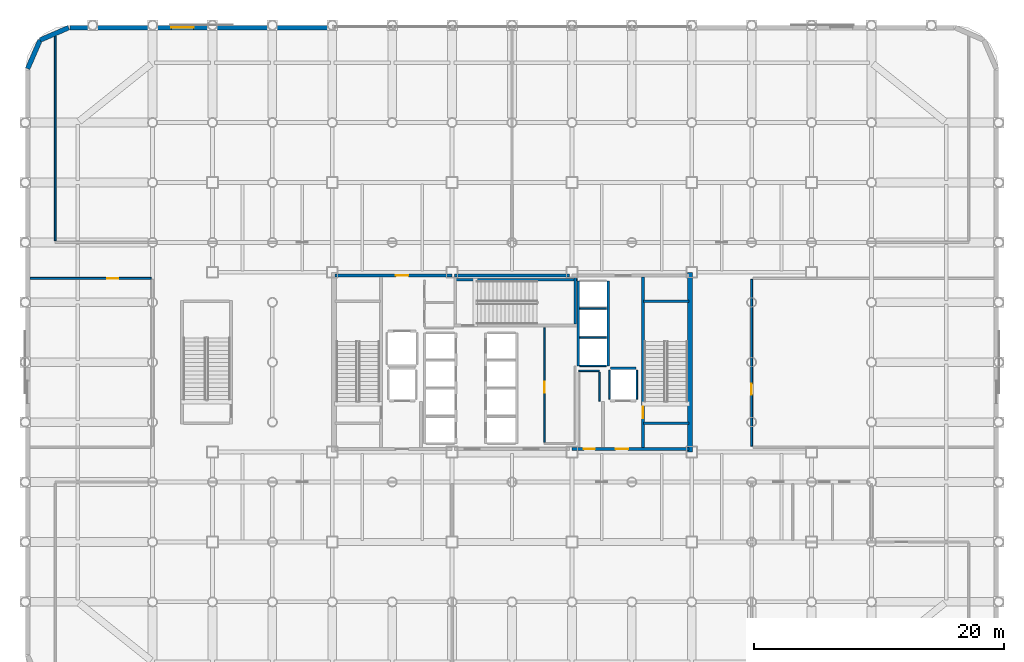
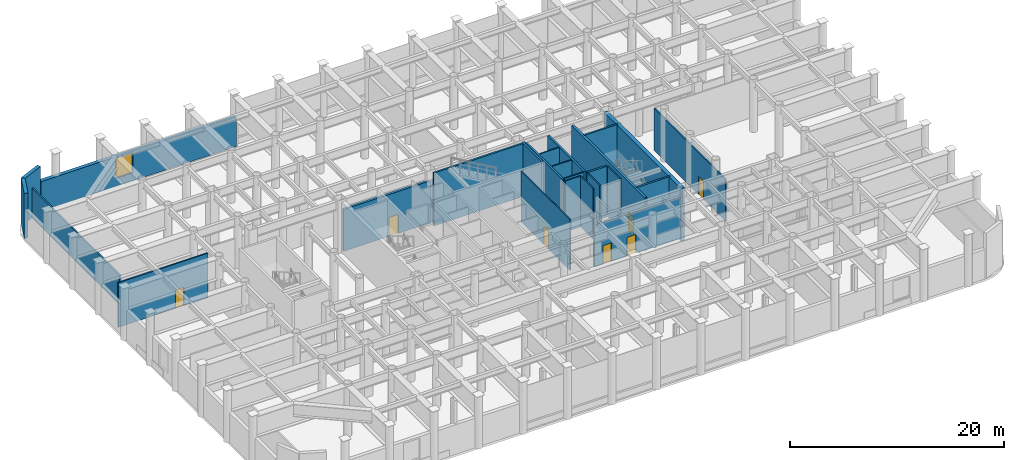
# One storey, part 18 of 26: 26 walls, 7 doors, 1 window, 8 openings.
"""IFC4 building model written with IfcOpenShell, lengths in metres."""

from ifc_helpers import new_model, si_unit, direction, frame, frame_2d, origin, place, context, subcontext, project, spatial, rectangle, extrude, material, layer, layer_set, type_object, element, fill, save


model = new_model("IFC4")

# Units and contexts
model_context = context("Model", 3, precision=1e-05, world=origin(), true_north=direction((0.0, 1.0)))
body_context = subcontext(model_context, "Body", "Model", "MODEL_VIEW")
ifc_project = project(units=[si_unit("LENGTHUNIT", "METRE"), si_unit("AREAUNIT", "SQUARE_METRE"), si_unit("VOLUMEUNIT", "CUBIC_METRE"), si_unit("PLANEANGLEUNIT", "RADIAN"), si_unit("MASSUNIT", "GRAM", prefix="KILO")], contexts=[model_context])

# Site, building, storey
site_placement = place(None, origin())
site = spatial("IfcSite", under=ifc_project, at=site_placement, CompositionType="ELEMENT")
building_placement = place(site_placement, origin())
building = spatial("IfcBuilding", under=site, at=building_placement, Name="Kallvorn Hotel Tower", CompositionType="ELEMENT")
storey_placement = place(building_placement, frame((0.0, 0.0, 6.0)))
storey = spatial("IfcBuildingStorey", under=building, at=storey_placement, Name="L01", CompositionType="ELEMENT", Elevation=6.0)

# Wall
ifc_material_1 = material(Name="Concrete C50/60", Category="concrete")
ifc_layer_1 = layer(ifc_material_1, 0.39990234375)
ifc_layer_set_1 = layer_set([ifc_layer_1], Name="WL_CORE_400")
wall_type_1 = type_object("IfcWallType", Name="WL_CORE_400", PredefinedType="SHEAR", material=ifc_layer_set_1)
wall_1_placement = place(storey_placement, frame((14.264892578125, -7.199951171875, -0.25), z_axis=(0.0, 0.0, 1.0), x_axis=(0.0, 1.0, 0.0)))
element("IfcWall", 1, at=wall_1_placement, inside=storey, type_object=wall_type_1, Name="L01 Core East Shear Wall", PredefinedType="SHEAR", context=body_context, shape_type="SweptSolid", body=[
    extrude(rectangle(XDim=14.39990234375, YDim=0.39990234375, at=frame_2d((7.199951171875, 0.0))), origin(), (0.0, 0.0, 1.0), 6.030029296875),
])

# Wall, opening, window
ifc_material_2 = material(Name="Precast basalt-clad insulated concrete wall C40/50", Category="masonry")
ifc_layer_2 = layer(ifc_material_2, 0.3798828125)
ifc_layer_set_2 = layer_set([ifc_layer_2], Name="WL_EXT_PODIUM_380")
wall_type_2 = type_object("IfcWallType", Name="WL_EXT_PODIUM_380", PredefinedType="SOLIDWALL", material=ifc_layer_set_2)
wall_2_placement = place(storey_placement, frame((-35.39990234375, 26.81005859375, 0.0), z_axis=(0.0, 0.0, 1.0), x_axis=(1.0, 0.0, 0.0)))
wall_2 = element("IfcWall", 2, at=wall_2_placement, inside=storey, type_object=wall_type_2, Name="L01 Podium Exterior Wall EW-L01-NW", PredefinedType="SOLIDWALL", context=body_context, shape_type="SweptSolid", body=[
    extrude(rectangle(XDim=21.0498046875, YDim=0.3798828125, at=frame_2d((10.52490234375, 0.0))), origin(), (0.0, 0.0, 1.0), 3.3798828125),
])
opening_1_placement = place(wall_2_placement, frame((8.10009765625, 0.0, 0.89990234375)))
opening_1 = element("IfcOpeningElement", 3, at=opening_1_placement, cuts=wall_2, Name="Opening W02", PredefinedType="OPENING", context=body_context, shape_type="SweptSolid", body=[
    extrude(rectangle(XDim=1.800048828125, YDim=2.300048828125, at=frame_2d((0.89990234375, 1.14990234375))), frame((0.0, 0.204833984375, 0.0), z_axis=(0.0, -1.0, 0.0), x_axis=(1.0, 0.0, 0.0)), (0.0, 0.0, 1.0), 0.409912109375),
])
ifc_material_3 = material(Name="Double-glazed low-e solar-control dark glass", Category="glass")
window_type = type_object("IfcWindowType", Name="WN_POD_1800x2300", PartitioningType="SINGLE_PANEL", PredefinedType="WINDOW", material=ifc_material_3)
window_placement = place(opening_1_placement, origin())
window = element("IfcWindow", 4, at=window_placement, inside=storey, type_object=window_type, Name="L01 Podium Window EW-L01-NW", OverallHeight=2.300048828125, OverallWidth=1.800048828125, PartitioningType="SINGLE_PANEL", PredefinedType="WINDOW", context=body_context, shape_type="SweptSolid", body=[
    extrude(rectangle(XDim=1.800048828125, YDim=2.300048828125, at=frame_2d((0.89990234375, 1.14990234375))), frame((0.0, 0.030029296875, 0.0), z_axis=(0.0, -1.0, 0.0), x_axis=(1.0, 0.0, 0.0)), (0.0, 0.0, 1.0), 0.06005859375),
])
fill(opening_1, window)

# Walls
for number, where, z_axis, x_axis, name in (
    (5, (-35.51904296875, 26.807861328125, 0.0), (0.0, 0.0, 1.0), (-0.917076267627, -0.39871182495, 0.0), "L01 Rounded Corner Exterior Wall NW1"),
    (6, (-37.811279296875, 25.811279296875, 0.0), (0.0, 0.0, 1.0), (-0.39871182495, -0.917076267627, 0.0), "L01 Rounded Corner Exterior Wall NW2"),
):
    element("IfcWall", number, at=place(storey_placement, frame(where, z_axis=z_axis, x_axis=x_axis)), inside=storey, type_object=wall_type_2, Name=name, PredefinedType="SOLIDWALL", context=body_context, shape_type="SweptSolid", body=[
        extrude(rectangle(XDim=2.49951171875, YDim=0.3798828125, at=frame_2d((1.249755859375, 0.0))), origin(), (0.0, 0.0, 1.0), 5.1298828125),
    ])
ifc_material_4 = material(Name="Concrete C40/50", Category="concrete")
ifc_layer_3 = layer(ifc_material_4, 0.199951171875)
ifc_layer_set_3 = layer_set([ifc_layer_3], Name="WL_HOIST_200")
wall_type_3 = type_object("IfcWallType", Name="WL_HOIST_200", PredefinedType="SOLIDWALL", material=ifc_layer_set_3)
for number, where, z_axis, x_axis, name in (
    (7, (10.550048828125, -4.89990234375, -0.25), (0.0, 0.0, 1.0), (1.0, 0.0, 0.0), "L01 Stair ST2 South Wall"),
    (8, (10.550048828125, 4.89990234375, -0.25), (0.0, 0.0, 1.0), (1.0, 0.0, 0.0), "L01 Stair ST2 North Wall"),
):
    element("IfcWall", number, at=place(storey_placement, frame(where, z_axis=z_axis, x_axis=x_axis)), inside=storey, type_object=wall_type_3, Name=name, PredefinedType="SOLIDWALL", context=body_context, shape_type="SweptSolid", body=[
        extrude(rectangle(XDim=3.64990234375, YDim=0.199951171875, at=frame_2d((1.824951171875, 0.0))), origin(), (0.0, 0.0, 1.0), 6.030029296875),
    ])
wall_3_placement = place(storey_placement, frame((-4.64990234375, 6.610107421875, -0.25), z_axis=(0.0, 0.0, 1.0), x_axis=(1.0, 0.0, 0.0)))
element("IfcWall", 9, at=wall_3_placement, inside=storey, type_object=wall_type_3, Name="L01 Stair ST3 Shaft North Wall", PredefinedType="SOLIDWALL", context=body_context, shape_type="SweptSolid", body=[
    extrude(rectangle(XDim=9.89990234375, YDim=0.199951171875, at=frame_2d((4.949951171875, 0.0))), origin(), (0.0, 0.0, 1.0), 6.030029296875),
])
wall_4_placement = place(storey_placement, frame((5.06005859375, 3.080078125, -0.25), z_axis=(0.0, 0.0, 1.0), x_axis=(0.0, 1.0, 0.0)))
element("IfcWall", 10, at=wall_4_placement, inside=storey, type_object=wall_type_3, Name="L01 Stair ST3 East Wall", PredefinedType="SOLIDWALL", context=body_context, shape_type="SweptSolid", body=[
    extrude(rectangle(XDim=3.739990234375, YDim=0.199951171875, at=frame_2d((1.8701171875, 0.0))), origin(), (0.0, 0.0, 1.0), 6.030029296875),
])
for number, where, z_axis, x_axis, name in (
    (11, (7.699951171875, -0.300048828125, 0.0), (0.0, 0.0, 1.0), (0.0, 1.0, 0.0), "L01 Lift Bank OBS Landing Wall"),
    (12, (5.300048828125, -0.300048828125, 0.0), (0.0, 0.0, 1.0), (0.0, 1.0, 0.0), "L01 Lift Bank OBS Rear Shaft Wall"),
):
    element("IfcWall", number, at=place(storey_placement, frame(where, z_axis=z_axis, x_axis=x_axis)), inside=storey, type_object=wall_type_3, Name=name, PredefinedType="SOLIDWALL", context=body_context, shape_type="SweptSolid", body=[
        extrude(rectangle(XDim=6.800048828125, YDim=0.199951171875, at=frame_2d((3.39990234375, 0.0))), origin(), (0.0, 0.0, 1.0), 5.780029296875),
    ])
wall_5_placement = place(storey_placement, frame((7.8798828125, -0.5, 0.0), z_axis=(0.0, 0.0, 1.0), x_axis=(1.0, 0.0, 0.0)))
element("IfcWall", 13, at=wall_5_placement, inside=storey, type_object=wall_type_3, Name="L01 FL-2 Rear Shaft Wall", PredefinedType="SOLIDWALL", context=body_context, shape_type="SweptSolid", body=[
    extrude(rectangle(XDim=2.0400390625, YDim=0.199951171875, at=frame_2d((1.02001953125, 0.0))), origin(), (0.0, 0.0, 1.0), 5.780029296875),
])
ifc_material_5 = material(Name="Fire-rated double-layer acoustic gypsum drywall EI 60")
ifc_layer_4 = layer(ifc_material_5, 0.1201171875)
ifc_layer_set_4 = layer_set([ifc_layer_4], Name="WL_INT_120")
wall_type_4 = type_object("IfcWallType", Name="WL_INT_120", PredefinedType="PARTITIONING", material=ifc_layer_set_4)
for number, where, z_axis, x_axis, name in (
    (14, (5.43994140625, -0.300048828125, 0.0), (0.0, 0.0, 1.0), (1.0, 0.0, 0.0), "L01 Lift Bank OBS South Closure Wall"),
    (15, (5.43994140625, 1.97509765625, 0.0), (0.0, 0.0, 1.0), (1.0, 0.0, 0.0), "L01 OB-01 Hoistway Divider"),
    (16, (5.43994140625, 4.324951171875, 0.0), (0.0, 0.0, 1.0), (1.0, 0.0, 0.0), "L01 OB-02 Hoistway Divider"),
):
    element("IfcWall", number, at=place(storey_placement, frame(where, z_axis=z_axis, x_axis=x_axis)), inside=storey, type_object=wall_type_4, Name=name, PredefinedType="PARTITIONING", context=body_context, shape_type="SweptSolid", body=[
        extrude(rectangle(XDim=2.1201171875, YDim=0.1201171875, at=frame_2d((1.06005859375, 0.0))), origin(), (0.0, 0.0, 1.0), 5.780029296875),
    ])
for number, where, z_axis, x_axis, name in (
    (17, (7.800048828125, -2.9599609375, 0.0), (0.0, 0.0, 1.0), (0.0, 1.0, 0.0), "L01 FL-2 West Shaft Wall"),
    (18, (10.0, -2.9599609375, 0.0), (0.0, 0.0, 1.0), (0.0, 1.0, 0.0), "L01 FL-2 East Shaft Wall"),
):
    element("IfcWall", number, at=place(storey_placement, frame(where, z_axis=z_axis, x_axis=x_axis)), inside=storey, type_object=wall_type_4, Name=name, PredefinedType="PARTITIONING", context=body_context, shape_type="SweptSolid", body=[
        extrude(rectangle(XDim=2.320068359375, YDim=0.1201171875, at=frame_2d((1.16015625, 0.0))), origin(), (0.0, 0.0, 1.0), 5.780029296875),
    ])
wall_6_placement = place(storey_placement, frame((5.35009765625, -0.699951171875, 0.0), z_axis=(0.0, 0.0, 1.0), x_axis=(1.0, 0.0, 0.0)))
element("IfcWall", 19, at=wall_6_placement, inside=storey, type_object=wall_type_4, Name="L01 Core Utility and Meter Room Partition", PredefinedType="PARTITIONING", context=body_context, shape_type="SweptSolid", body=[
    extrude(rectangle(XDim=1.64990234375, YDim=0.1201171875, at=frame_2d((0.824951171875, 0.0))), origin(), (0.0, 0.0, 1.0), 5.780029296875),
])

# Wall, opening, door
wall_7_placement = place(storey_placement, frame((2.60009765625, -6.4150390625, 0.0), z_axis=(0.0, 0.0, 1.0), x_axis=(0.0, 1.0, 0.0)))
wall_7 = element("IfcWall", 20, at=wall_7_placement, inside=storey, type_object=wall_type_4, Name="L01 East Core Consolidated Linen and Supply Store Partition", PredefinedType="PARTITIONING", context=body_context, shape_type="SweptSolid", body=[
    extrude(rectangle(XDim=9.1650390625, YDim=0.1201171875, at=frame_2d((4.58251953125, 0.0))), origin(), (0.0, 0.0, 1.0), 5.780029296875),
])
opening_2_placement = place(wall_7_placement, frame((3.965087890625, 0.0, 0.0)))
opening_2 = element("IfcOpeningElement", 21, at=opening_2_placement, cuts=wall_7, Name="Opening SVD1", PredefinedType="OPENING", context=body_context, shape_type="SweptSolid", body=[
    extrude(rectangle(XDim=0.89990234375, YDim=2.10009765625, at=frame_2d((0.449951171875, 1.050048828125))), frame((0.0, 0.074951171875, 0.0), z_axis=(0.0, -1.0, 0.0), x_axis=(1.0, 0.0, 0.0)), (0.0, 0.0, 1.0), 0.150146484375),
])
ifc_material_6 = material(Name="Galvanised painted steel fire-rated door assembly", Category="steel")
door_type_1 = type_object("IfcDoorType", Name="DR_SERV_900x2100", OperationType="NOTDEFINED", PredefinedType="DOOR", material=ifc_material_6)
door_1_placement = place(opening_2_placement, origin())
door_1 = element("IfcDoor", 22, at=door_1_placement, inside=storey, type_object=door_type_1, Name="L01 East Core Consolidated Linen and Supply Store Door", OperationType="SINGLE_SWING_LEFT", OverallHeight=2.10009765625, OverallWidth=0.89990234375, PredefinedType="DOOR", context=body_context, shape_type="SweptSolid", body=[
    extrude(rectangle(XDim=0.89990234375, YDim=2.10009765625, at=frame_2d((0.449951171875, 1.050048828125))), frame((0.0, 0.02490234375, 0.0), z_axis=(0.0, -1.0, 0.0), x_axis=(1.0, 0.0, 0.0)), (0.0, 0.0, 1.0), 0.050048828125),
])
fill(opening_2, door_1)

# Wall
wall_8_placement = place(storey_placement, frame((7.0, -3.110107421875, 0.0), z_axis=(0.0, 0.0, 1.0), x_axis=(0.0, 1.0, 0.0)))
element("IfcWall", 23, at=wall_8_placement, inside=storey, type_object=wall_type_4, Name="L01 Core Utility and Meter Room Partition", PredefinedType="PARTITIONING", context=body_context, shape_type="SweptSolid", body=[
    extrude(rectangle(XDim=2.3251953125, YDim=0.1201171875, at=frame_2d((1.16259765625, 0.0))), origin(), (0.0, 0.0, 1.0), 5.780029296875),
])

# Wall, opening, door
ifc_material_7 = material(Name="Fire-rated double-layer acoustic gypsum drywall EI 60")
ifc_layer_5 = layer(ifc_material_7, 0.14990234375)
ifc_layer_set_5 = layer_set([ifc_layer_5], Name="WL_PART_150")
wall_type_5 = type_object("IfcWallType", Name="WL_PART_150", PredefinedType="PARTITIONING", material=ifc_layer_set_5)
wall_9_placement = place(storey_placement, frame((-38.610107421875, 6.716796875, 0.0), z_axis=(0.0, 0.0, 1.0), x_axis=(1.0, 0.0, 0.0)))
wall_9 = element("IfcWall", 24, at=wall_9_placement, inside=storey, type_object=wall_type_5, Name="L01 West Mezzanine VIP Dining Salon Partition", PredefinedType="PARTITIONING", context=body_context, shape_type="SweptSolid", body=[
    extrude(rectangle(XDim=9.690185546875, YDim=0.14990234375, at=frame_2d((4.84521484375, 0.0))), origin(), (0.0, 0.0, 1.0), 5.080078125),
])
opening_3_placement = place(wall_9_placement, frame((6.159912109375, 0.0, 0.0)))
opening_3 = element("IfcOpeningElement", 25, at=opening_3_placement, cuts=wall_9, Name="Opening SVD1", PredefinedType="OPENING", context=body_context, shape_type="SweptSolid", body=[
    extrude(rectangle(XDim=0.89990234375, YDim=2.10009765625, at=frame_2d((0.449951171875, 1.050048828125))), frame((0.0, 0.08984375, 0.0), z_axis=(0.0, -1.0, 0.0), x_axis=(1.0, 0.0, 0.0)), (0.0, 0.0, 1.0), 0.179931640625),
])
door_2_placement = place(opening_3_placement, origin())
door_2 = element("IfcDoor", 26, at=door_2_placement, inside=storey, type_object=door_type_1, Name="L01 West Mezzanine VIP Dining Salon Door", OperationType="SINGLE_SWING_RIGHT", OverallHeight=2.10009765625, OverallWidth=0.89990234375, PredefinedType="DOOR", context=body_context, shape_type="SweptSolid", body=[
    extrude(rectangle(XDim=0.89990234375, YDim=2.10009765625, at=frame_2d((0.449951171875, 1.050048828125))), frame((0.0, 0.02490234375, 0.0), z_axis=(0.0, -1.0, 0.0), x_axis=(1.0, 0.0, 0.0)), (0.0, 0.0, 1.0), 0.050048828125),
])
fill(opening_3, door_2)

# Wall
wall_10_placement = place(storey_placement, frame((-36.60009765625, 9.75, 0.0), z_axis=(0.0, 0.0, 1.0), x_axis=(0.0, 1.0, 0.0)))
element("IfcWall", 27, at=wall_10_placement, inside=storey, type_object=wall_type_5, Name="L01 Executive Business Centre Open-Plan Office Partition", PredefinedType="PARTITIONING", context=body_context, shape_type="SweptSolid", body=[
    extrude(rectangle(XDim=16.387939453125, YDim=0.14990234375, at=frame_2d((8.19384765625, 0.0))), origin(), (0.0, 0.0, 1.0), 3.3798828125),
])

# Wall, opening, door
wall_11_placement = place(storey_placement, frame((19.199951171875, -6.715087890625, 0.0), z_axis=(0.0, 0.0, 1.0), x_axis=(0.0, 1.0, 0.0)))
wall_11 = element("IfcWall", 28, at=wall_11_placement, inside=storey, type_object=wall_type_5, Name="L01 East Mezzanine Exhibition Gallery Partition", PredefinedType="PARTITIONING", context=body_context, shape_type="SweptSolid", body=[
    extrude(rectangle(XDim=13.3466796875, YDim=0.14990234375, at=frame_2d((6.67333984375, 0.0))), origin(), (0.0, 0.0, 1.0), 4.780029296875),
])
opening_4_placement = place(wall_11_placement, frame((4.08984375, 0.0, 0.0)))
opening_4 = element("IfcOpeningElement", 29, at=opening_4_placement, cuts=wall_11, Name="Opening SVD1", PredefinedType="OPENING", context=body_context, shape_type="SweptSolid", body=[
    extrude(rectangle(XDim=0.89990234375, YDim=2.10009765625, at=frame_2d((0.449951171875, 1.050048828125))), frame((0.0, 0.08984375, 0.0), z_axis=(0.0, -1.0, 0.0), x_axis=(1.0, 0.0, 0.0)), (0.0, 0.0, 1.0), 0.179931640625),
])
door_3_placement = place(opening_4_placement, origin())
door_3 = element("IfcDoor", 30, at=door_3_placement, inside=storey, type_object=door_type_1, Name="L01 East Mezzanine Exhibition Gallery Door", OperationType="SINGLE_SWING_RIGHT", OverallHeight=2.10009765625, OverallWidth=0.89990234375, PredefinedType="DOOR", context=body_context, shape_type="SweptSolid", body=[
    extrude(rectangle(XDim=0.89990234375, YDim=2.10009765625, at=frame_2d((0.449951171875, 1.050048828125))), frame((0.0, 0.02490234375, 0.0), z_axis=(0.0, -1.0, 0.0), x_axis=(1.0, 0.0, 0.0)), (0.0, 0.0, 1.0), 0.050048828125),
])
fill(opening_4, door_3)

# Wall, openings, doors
ifc_material_8 = material(Name="Concrete C40/50", Category="concrete")
ifc_layer_6 = layer(ifc_material_8, 0.25)
ifc_layer_set_6 = layer_set([ifc_layer_6], Name="WL_SHAFT_250")
wall_type_6 = type_object("IfcWallType", Name="WL_SHAFT_250", PredefinedType="SOLIDWALL", material=ifc_layer_set_6)
wall_12_placement = place(storey_placement, frame((4.800048828125, -6.949951171875, 0.0), z_axis=(0.0, 0.0, 1.0), x_axis=(1.0, 0.0, 0.0)))
wall_12 = element("IfcWall", 31, at=wall_12_placement, inside=storey, type_object=wall_type_6, Name="L01 Core South-East Wall", PredefinedType="SOLIDWALL", context=body_context, shape_type="SweptSolid", body=[
    extrude(rectangle(XDim=9.39990234375, YDim=0.25, at=frame_2d((4.699951171875, 0.0))), origin(), (0.0, 0.0, 1.0), 4.780029296875),
])
opening_5_placement = place(wall_12_placement, frame((3.5, 0.0, 0.0)))
opening_5 = element("IfcOpeningElement", 32, at=opening_5_placement, cuts=wall_12, Name="Opening FD1", PredefinedType="OPENING", context=body_context, shape_type="SweptSolid", body=[
    extrude(rectangle(XDim=1.0, YDim=2.14990234375, at=frame_2d((0.5, 1.074951171875))), frame((0.0, 0.139892578125, 0.0), z_axis=(0.0, -1.0, 0.0), x_axis=(1.0, 0.0, 0.0)), (0.0, 0.0, 1.0), 0.280029296875),
])
opening_6_placement = place(wall_12_placement, frame((0.949951171875, 0.0, 0.0)))
opening_6 = element("IfcOpeningElement", 33, at=opening_6_placement, cuts=wall_12, Name="Opening SVD1", PredefinedType="OPENING", context=body_context, shape_type="SweptSolid", body=[
    extrude(rectangle(XDim=0.89990234375, YDim=2.10009765625, at=frame_2d((0.449951171875, 1.050048828125))), frame((0.0, 0.139892578125, 0.0), z_axis=(0.0, -1.0, 0.0), x_axis=(1.0, 0.0, 0.0)), (0.0, 0.0, 1.0), 0.280029296875),
])
ifc_material_9 = material(Name="Galvanised painted steel fire-rated door assembly", Category="steel")
door_type_2 = type_object("IfcDoorType", Name="DR_FFL_1000x2150", OperationType="NOTDEFINED", PredefinedType="DOOR", material=ifc_material_9)
door_4_placement = place(opening_5_placement, origin())
door_4 = element("IfcDoor", 34, at=door_4_placement, inside=storey, type_object=door_type_2, Name="L01 Firefighting Lobby East Door", OperationType="SINGLE_SWING_RIGHT", OverallHeight=2.14990234375, OverallWidth=1.0, PredefinedType="DOOR", context=body_context, shape_type="SweptSolid", body=[
    extrude(rectangle(XDim=1.0, YDim=2.14990234375, at=frame_2d((0.5, 1.074951171875))), frame((0.0, 0.02490234375, 0.0), z_axis=(0.0, -1.0, 0.0), x_axis=(1.0, 0.0, 0.0)), (0.0, 0.0, 1.0), 0.050048828125),
])
fill(opening_5, door_4)
door_5_placement = place(opening_6_placement, origin())
door_5 = element("IfcDoor", 35, at=door_5_placement, inside=storey, type_object=door_type_1, Name="L01 Core Utility and Meter Room Door", OperationType="SINGLE_SWING_RIGHT", OverallHeight=2.10009765625, OverallWidth=0.89990234375, PredefinedType="DOOR", context=body_context, shape_type="SweptSolid", body=[
    extrude(rectangle(XDim=0.89990234375, YDim=2.10009765625, at=frame_2d((0.449951171875, 1.050048828125))), frame((0.0, 0.02490234375, 0.0), z_axis=(0.0, -1.0, 0.0), x_axis=(1.0, 0.0, 0.0)), (0.0, 0.0, 1.0), 0.050048828125),
])
fill(opening_6, door_5)

# Wall, opening, door
wall_13_placement = place(storey_placement, frame((-14.199951171875, 6.949951171875, 0.0), z_axis=(0.0, 0.0, 1.0), x_axis=(1.0, 0.0, 0.0)))
wall_13 = element("IfcWall", 36, at=wall_13_placement, inside=storey, type_object=wall_type_6, Name="L01 Core North-West Wall", PredefinedType="SOLIDWALL", context=body_context, shape_type="SweptSolid", body=[
    extrude(rectangle(XDim=9.39990234375, YDim=0.25, at=frame_2d((4.699951171875, 0.0))), origin(), (0.0, 0.0, 1.0), 4.780029296875),
])
opening_7_placement = place(wall_13_placement, frame((4.89990234375, 0.0, 0.0)))
opening_7 = element("IfcOpeningElement", 37, at=opening_7_placement, cuts=wall_13, Name="Opening FD1", PredefinedType="OPENING", context=body_context, shape_type="SweptSolid", body=[
    extrude(rectangle(XDim=1.0, YDim=2.14990234375, at=frame_2d((0.5, 1.074951171875))), frame((0.0, 0.139892578125, 0.0), z_axis=(0.0, -1.0, 0.0), x_axis=(1.0, 0.0, 0.0)), (0.0, 0.0, 1.0), 0.280029296875),
])
door_6_placement = place(opening_7_placement, origin())
door_6 = element("IfcDoor", 38, at=door_6_placement, inside=storey, type_object=door_type_2, Name="L01 Service Lift Lobby Door", OperationType="SINGLE_SWING_RIGHT", OverallHeight=2.14990234375, OverallWidth=1.0, PredefinedType="DOOR", context=body_context, shape_type="SweptSolid", body=[
    extrude(rectangle(XDim=1.0, YDim=2.14990234375, at=frame_2d((0.5, 1.074951171875))), frame((0.0, 0.02490234375, 0.0), z_axis=(0.0, -1.0, 0.0), x_axis=(1.0, 0.0, 0.0)), (0.0, 0.0, 1.0), 0.050048828125),
])
fill(opening_7, door_6)

# Wall
wall_14_placement = place(storey_placement, frame((-4.60009765625, 6.949951171875, 0.0), z_axis=(0.0, 0.0, 1.0), x_axis=(1.0, 0.0, 0.0)))
element("IfcWall", 39, at=wall_14_placement, inside=storey, type_object=wall_type_6, Name="L01 Core North-Central Wall", PredefinedType="SOLIDWALL", context=body_context, shape_type="SweptSolid", body=[
    extrude(rectangle(XDim=9.2001953125, YDim=0.25, at=frame_2d((4.60009765625, 0.0))), origin(), (0.0, 0.0, 1.0), 4.780029296875),
])

# Wall, opening, door
wall_15_placement = place(storey_placement, frame((10.5, -6.820068359375, -0.25), z_axis=(0.0, 0.0, 1.0), x_axis=(0.0, 1.0, 0.0)))
wall_15 = element("IfcWall", 40, at=wall_15_placement, inside=storey, type_object=wall_type_6, Name="L01 Stair ST2 Shaft Wall", PredefinedType="SOLIDWALL", context=body_context, shape_type="SweptSolid", body=[
    extrude(rectangle(XDim=13.64013671875, YDim=0.25, at=frame_2d((6.820068359375, 0.0))), origin(), (0.0, 0.0, 1.0), 6.030029296875),
])
opening_8_placement = place(wall_15_placement, frame((2.320068359375, 0.0, 0.25)))
opening_8 = element("IfcOpeningElement", 41, at=opening_8_placement, cuts=wall_15, Name="Opening SD1", PredefinedType="OPENING", context=body_context, shape_type="SweptSolid", body=[
    extrude(rectangle(XDim=0.949951171875, YDim=2.14990234375, at=frame_2d((0.47509765625, 1.074951171875))), frame((0.0, 0.139892578125, 0.0), z_axis=(0.0, -1.0, 0.0), x_axis=(1.0, 0.0, 0.0)), (0.0, 0.0, 1.0), 0.280029296875),
])
ifc_material_10 = material(Name="Galvanised painted steel fire-rated door assembly", Category="steel")
door_type_3 = type_object("IfcDoorType", Name="DR_STAIR_950x2150", OperationType="NOTDEFINED", PredefinedType="DOOR", material=ifc_material_10)
door_7_placement = place(opening_8_placement, origin())
door_7 = element("IfcDoor", 42, at=door_7_placement, inside=storey, type_object=door_type_3, Name="L01 Exit Stair ST2 Fire Door", OperationType="SINGLE_SWING_RIGHT", OverallHeight=2.14990234375, OverallWidth=0.949951171875, PredefinedType="DOOR", context=body_context, shape_type="SweptSolid", body=[
    extrude(rectangle(XDim=0.949951171875, YDim=2.14990234375, at=frame_2d((0.47509765625, 1.074951171875))), frame((0.0, 0.02490234375, 0.0), z_axis=(0.0, -1.0, 0.0), x_axis=(1.0, 0.0, 0.0)), (0.0, 0.0, 1.0), 0.050048828125),
])
fill(opening_8, door_7)

save(model, "model.ifc")
